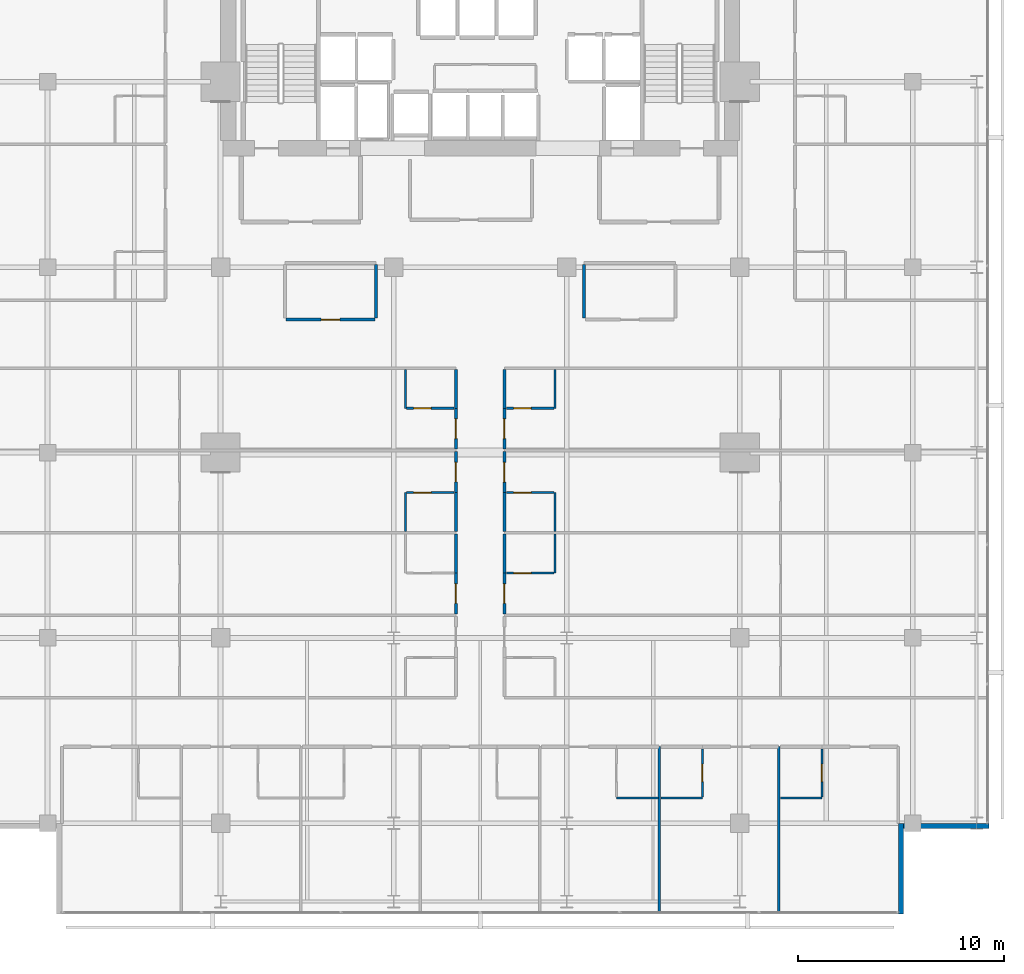
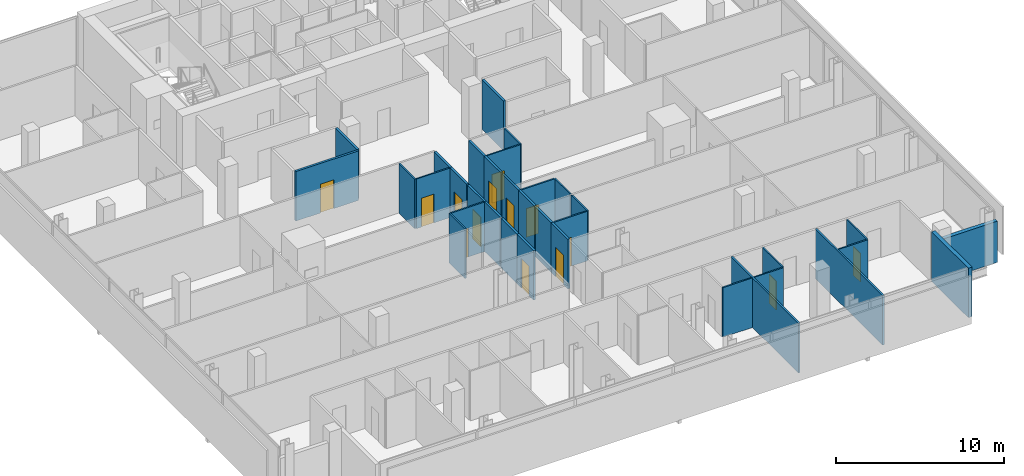
# One storey, part 28 of 34: 34 walls, 14 doors, 14 openings.
"""IFC4 building model written with IfcOpenShell, lengths in metres."""

from ifc_helpers import new_model, si_unit, direction, frame, frame_2d, origin, place, context, subcontext, project, spatial, rectangle, extrude, material, layer, layer_set, type_object, element, fill, save


model = new_model("IFC4")

# Units and contexts
model_context = context("Model", 3, precision=1e-05, world=origin(), true_north=direction((0.0, 1.0)))
body_context = subcontext(model_context, "Body", "Model", "MODEL_VIEW")
ifc_project = project(units=[si_unit("LENGTHUNIT", "METRE"), si_unit("AREAUNIT", "SQUARE_METRE"), si_unit("VOLUMEUNIT", "CUBIC_METRE"), si_unit("PLANEANGLEUNIT", "RADIAN"), si_unit("MASSUNIT", "GRAM", prefix="KILO")], contexts=[model_context])

# Site, building, storey
site_placement = place(None, origin())
site = spatial("IfcSite", under=ifc_project, at=site_placement, CompositionType="ELEMENT")
building_placement = place(site_placement, origin())
building = spatial("IfcBuilding", under=site, at=building_placement, Name="Maruvema Waterfront Hotel and Observation Tower", CompositionType="ELEMENT")
storey_placement = place(building_placement, frame((0.0, 0.0, 127.39990234375)))
storey = spatial("IfcBuildingStorey", under=building, at=storey_placement, Name="L30", CompositionType="ELEMENT", Elevation=127.39990234375)

# Wall
ifc_material_1 = material(Name="Twin-stud acoustic gypsum drywall", Category="gypsum")
ifc_layer_1 = layer(ifc_material_1, 0.14990234375, Name="Acoustic Corridor and Suite Demising Wall 150 mm")
ifc_layer_set_1 = layer_set([ifc_layer_1], Name="Twin-stud acoustic gypsum drywall")
wall_type_1 = type_object("IfcWallType", Name="Acoustic Corridor and Suite Demising Wall 150 mm", PredefinedType="PARTITIONING", material=ifc_layer_set_1)
wall_1_placement = place(storey_placement, frame((32.75, 33.530029296875, 0.0), z_axis=(0.0, 0.0, 1.0), x_axis=(0.0, 1.0, 0.0)))
element("IfcWall", 1, at=wall_1_placement, inside=storey, type_object=wall_type_1, Name="L30 L30-M1 East Wall 018", PredefinedType="PARTITIONING", context=body_context, shape_type="SweptSolid", body=[
    extrude(rectangle(XDim=2.590087890625, YDim=0.14990234375, at=frame_2d((1.294921875, 0.0))), origin(), (0.0, 0.0, 1.0), 3.610107421875),
])

# Wall, opening, door
wall_2_placement = place(storey_placement, frame((28.3798828125, 33.449951171875, 0.0), z_axis=(0.0, 0.0, 1.0), x_axis=(1.0, 0.0, 0.0)))
wall_2 = element("IfcWall", 2, at=wall_2_placement, inside=storey, type_object=wall_type_1, Name="L30 L30-M1 Front 1 019", PredefinedType="PARTITIONING", context=body_context, shape_type="SweptSolid", body=[
    extrude(rectangle(XDim=4.31005859375, YDim=0.14990234375, at=frame_2d((2.155029296875, 0.0))), origin(), (0.0, 0.0, 1.0), 3.610107421875),
])
opening_1_placement = place(wall_2_placement, frame((1.705078125, 0.0, 0.0)))
opening_1 = element("IfcOpeningElement", 3, at=opening_1_placement, cuts=wall_2, Name="Opening DR-090", PredefinedType="OPENING", context=body_context, shape_type="SweptSolid", body=[
    extrude(rectangle(XDim=0.89990234375, YDim=2.10009765625, at=frame_2d((0.449951171875, 1.050048828125))), frame((0.0, 0.0849609375, 0.0), z_axis=(0.0, -1.0, 0.0), x_axis=(1.0, 0.0, 0.0)), (0.0, 0.0, 1.0), 0.169921875),
])
ifc_material_2 = material(Name="Solid-core lacquered timber leaf", Category="wood")
door_type_1 = type_object("IfcDoorType", Name="Accessible Toilet and Room Door 900x2100 mm", OperationType="NOTDEFINED", PredefinedType="DOOR", material=ifc_material_2)
door_1_placement = place(opening_1_placement, frame((0.89990234375, 0.0, 0.0), z_axis=(0.0, 0.0, 1.0), x_axis=(-1.0, 0.0, 0.0)))
door_1 = element("IfcDoor", 4, at=door_1_placement, inside=storey, type_object=door_type_1, Name="L30 Butler Kitchenette Door", OperationType="SINGLE_SWING_LEFT", OverallHeight=2.10009765625, OverallWidth=0.89990234375, PredefinedType="DOOR", context=body_context, shape_type="SweptSolid", body=[
    extrude(rectangle(XDim=0.89990234375, YDim=2.10009765625, at=frame_2d((0.449951171875, 1.050048828125))), frame((0.0, 0.02490234375, 0.0), z_axis=(0.0, -1.0, 0.0), x_axis=(1.0, 0.0, 0.0)), (0.0, 0.0, 1.0), 0.050048828125),
])
fill(opening_1, door_1)

# Wall
wall_3_placement = place(storey_placement, frame((42.85009765625, 33.530029296875, 0.0), z_axis=(0.0, 0.0, 1.0), x_axis=(0.0, 1.0, 0.0)))
element("IfcWall", 5, at=wall_3_placement, inside=storey, type_object=wall_type_1, Name="L30 L30-M2 West Wall 021", PredefinedType="PARTITIONING", context=body_context, shape_type="SweptSolid", body=[
    extrude(rectangle(XDim=2.590087890625, YDim=0.14990234375, at=frame_2d((1.294921875, 0.0))), origin(), (0.0, 0.0, 1.0), 3.610107421875),
])

# Wall, opening, door
wall_4_placement = place(storey_placement, frame((36.6201171875, 19.159912109375, 0.0), z_axis=(0.0, 0.0, 1.0), x_axis=(0.0, 1.0, 0.0)))
wall_4 = element("IfcWall", 6, at=wall_4_placement, inside=storey, type_object=wall_type_1, Name="L30 Room L30-W2 Corridor Wall 076", PredefinedType="PARTITIONING", context=body_context, shape_type="SweptSolid", body=[
    extrude(rectangle(XDim=1.989990234375, YDim=0.14990234375, at=frame_2d((0.9951171875, 0.0))), origin(), (0.0, 0.0, 1.0), 3.610107421875),
])
opening_2_placement = place(wall_4_placement, frame((0.52001953125, 0.0, 0.0)))
opening_2 = element("IfcOpeningElement", 7, at=opening_2_placement, cuts=wall_4, Name="Opening DR-095", PredefinedType="OPENING", context=body_context, shape_type="SweptSolid", body=[
    extrude(rectangle(XDim=0.949951171875, YDim=2.14990234375, at=frame_2d((0.47509765625, 1.074951171875))), frame((0.0, 0.0849609375, 0.0), z_axis=(0.0, -1.0, 0.0), x_axis=(1.0, 0.0, 0.0)), (0.0, 0.0, 1.0), 0.169921875),
])
ifc_material_3 = material(Name="Acoustic solid-core hardwood timber leaf", Category="wood")
door_type_2 = type_object("IfcDoorType", Name="Guestroom Entrance Fire Door 950x2150 mm", OperationType="NOTDEFINED", PredefinedType="DOOR", material=ifc_material_3)
door_2_placement = place(opening_2_placement, origin())
door_2 = element("IfcDoor", 8, at=door_2_placement, inside=storey, type_object=door_type_2, Name="L30 Room L30-W2 Entrance Door", OperationType="SINGLE_SWING_RIGHT", OverallHeight=2.14990234375, OverallWidth=0.949951171875, PredefinedType="DOOR", context=body_context, shape_type="SweptSolid", body=[
    extrude(rectangle(XDim=0.949951171875, YDim=2.14990234375, at=frame_2d((0.47509765625, 1.074951171875))), frame((0.0, 0.02490234375, 0.0), z_axis=(0.0, -1.0, 0.0), x_axis=(1.0, 0.0, 0.0)), (0.0, 0.0, 1.0), 0.050048828125),
])
fill(opening_2, door_2)

# Wall
wall_5_placement = place(storey_placement, frame((36.6201171875, 21.14990234375, 0.0), z_axis=(0.0, 0.0, 1.0), x_axis=(0.0, 1.0, 0.0)))
element("IfcWall", 9, at=wall_5_placement, inside=storey, type_object=wall_type_1, Name="L30 Bath L30-W2 Wall 077", PredefinedType="PARTITIONING", context=body_context, shape_type="SweptSolid", body=[
    extrude(rectangle(XDim=1.89013671875, YDim=0.14990234375, at=frame_2d((0.945068359375, 0.0))), origin(), (0.0, 0.0, 1.0), 3.610107421875),
])

# Wall, opening, door
wall_6_placement = place(storey_placement, frame((38.97998046875, 19.159912109375, 0.0), z_axis=(0.0, 0.0, 1.0), x_axis=(0.0, 1.0, 0.0)))
wall_6 = element("IfcWall", 10, at=wall_6_placement, inside=storey, type_object=wall_type_1, Name="L30 Room L30-E2 Corridor Wall 081", PredefinedType="PARTITIONING", context=body_context, shape_type="SweptSolid", body=[
    extrude(rectangle(XDim=1.989990234375, YDim=0.14990234375, at=frame_2d((0.9951171875, 0.0))), origin(), (0.0, 0.0, 1.0), 3.610107421875),
])
opening_3_placement = place(wall_6_placement, frame((0.52001953125, 0.0, 0.0)))
opening_3 = element("IfcOpeningElement", 11, at=opening_3_placement, cuts=wall_6, Name="Opening DR-095", PredefinedType="OPENING", context=body_context, shape_type="SweptSolid", body=[
    extrude(rectangle(XDim=0.949951171875, YDim=2.14990234375, at=frame_2d((0.47509765625, 1.074951171875))), frame((0.0, 0.0849609375, 0.0), z_axis=(0.0, -1.0, 0.0), x_axis=(1.0, 0.0, 0.0)), (0.0, 0.0, 1.0), 0.169921875),
])
door_3_placement = place(opening_3_placement, frame((0.949951171875, 0.0, 0.0), z_axis=(0.0, 0.0, 1.0), x_axis=(-1.0, 0.0, 0.0)))
door_3 = element("IfcDoor", 12, at=door_3_placement, inside=storey, type_object=door_type_2, Name="L30 Room L30-E2 Entrance Door", OperationType="SINGLE_SWING_LEFT", OverallHeight=2.14990234375, OverallWidth=0.949951171875, PredefinedType="DOOR", context=body_context, shape_type="SweptSolid", body=[
    extrude(rectangle(XDim=0.949951171875, YDim=2.14990234375, at=frame_2d((0.47509765625, 1.074951171875))), frame((0.0, 0.02490234375, 0.0), z_axis=(0.0, -1.0, 0.0), x_axis=(1.0, 0.0, 0.0)), (0.0, 0.0, 1.0), 0.050048828125),
])
fill(opening_3, door_3)

# Walls
for number, where, z_axis, x_axis, name in (
    (13, (38.97998046875, 21.14990234375, 0.0), (0.0, 0.0, 1.0), (0.0, 1.0, 0.0), "L30 Bath L30-E2 Wall 082"),
    (14, (36.6201171875, 23.159912109375, 0.0), (0.0, 0.0, 1.0), (0.0, 1.0, 0.0), "L30 Bath L30-W3 Wall 088"),
):
    element("IfcWall", number, at=place(storey_placement, frame(where, z_axis=z_axis, x_axis=x_axis)), inside=storey, type_object=wall_type_1, Name=name, PredefinedType="PARTITIONING", context=body_context, shape_type="SweptSolid", body=[
        extrude(rectangle(XDim=1.89013671875, YDim=0.14990234375, at=frame_2d((0.945068359375, 0.0))), origin(), (0.0, 0.0, 1.0), 3.610107421875),
    ])

# Wall, opening, door
wall_7_placement = place(storey_placement, frame((36.6201171875, 25.050048828125, 0.0), z_axis=(0.0, 0.0, 1.0), x_axis=(0.0, 1.0, 0.0)))
wall_7 = element("IfcWall", 15, at=wall_7_placement, inside=storey, type_object=wall_type_1, Name="L30 Room L30-W3 Corridor Wall 089", PredefinedType="PARTITIONING", context=body_context, shape_type="SweptSolid", body=[
    extrude(rectangle(XDim=1.989990234375, YDim=0.14990234375, at=frame_2d((0.9951171875, 0.0))), origin(), (0.0, 0.0, 1.0), 3.610107421875),
])
opening_4_placement = place(wall_7_placement, frame((0.52001953125, 0.0, 0.0)))
opening_4 = element("IfcOpeningElement", 16, at=opening_4_placement, cuts=wall_7, Name="Opening DR-095", PredefinedType="OPENING", context=body_context, shape_type="SweptSolid", body=[
    extrude(rectangle(XDim=0.949951171875, YDim=2.14990234375, at=frame_2d((0.47509765625, 1.074951171875))), frame((0.0, 0.0849609375, 0.0), z_axis=(0.0, -1.0, 0.0), x_axis=(1.0, 0.0, 0.0)), (0.0, 0.0, 1.0), 0.169921875),
])
door_4_placement = place(opening_4_placement, origin())
door_4 = element("IfcDoor", 17, at=door_4_placement, inside=storey, type_object=door_type_2, Name="L30 Room L30-W3 Entrance Door", OperationType="SINGLE_SWING_RIGHT", OverallHeight=2.14990234375, OverallWidth=0.949951171875, PredefinedType="DOOR", context=body_context, shape_type="SweptSolid", body=[
    extrude(rectangle(XDim=0.949951171875, YDim=2.14990234375, at=frame_2d((0.47509765625, 1.074951171875))), frame((0.0, 0.02490234375, 0.0), z_axis=(0.0, -1.0, 0.0), x_axis=(1.0, 0.0, 0.0)), (0.0, 0.0, 1.0), 0.050048828125),
])
fill(opening_4, door_4)

# Wall
wall_8_placement = place(storey_placement, frame((38.97998046875, 23.159912109375, 0.0), z_axis=(0.0, 0.0, 1.0), x_axis=(0.0, 1.0, 0.0)))
element("IfcWall", 18, at=wall_8_placement, inside=storey, type_object=wall_type_1, Name="L30 Bath L30-E3 Wall 093", PredefinedType="PARTITIONING", context=body_context, shape_type="SweptSolid", body=[
    extrude(rectangle(XDim=1.89013671875, YDim=0.14990234375, at=frame_2d((0.945068359375, 0.0))), origin(), (0.0, 0.0, 1.0), 3.610107421875),
])

# Wall, opening, door
wall_9_placement = place(storey_placement, frame((38.97998046875, 25.050048828125, 0.0), z_axis=(0.0, 0.0, 1.0), x_axis=(0.0, 1.0, 0.0)))
wall_9 = element("IfcWall", 19, at=wall_9_placement, inside=storey, type_object=wall_type_1, Name="L30 Room L30-E3 Corridor Wall 094", PredefinedType="PARTITIONING", context=body_context, shape_type="SweptSolid", body=[
    extrude(rectangle(XDim=1.989990234375, YDim=0.14990234375, at=frame_2d((0.9951171875, 0.0))), origin(), (0.0, 0.0, 1.0), 3.610107421875),
])
opening_5_placement = place(wall_9_placement, frame((0.52001953125, 0.0, 0.0)))
opening_5 = element("IfcOpeningElement", 20, at=opening_5_placement, cuts=wall_9, Name="Opening DR-095", PredefinedType="OPENING", context=body_context, shape_type="SweptSolid", body=[
    extrude(rectangle(XDim=0.949951171875, YDim=2.14990234375, at=frame_2d((0.47509765625, 1.074951171875))), frame((0.0, 0.0849609375, 0.0), z_axis=(0.0, -1.0, 0.0), x_axis=(1.0, 0.0, 0.0)), (0.0, 0.0, 1.0), 0.169921875),
])
door_5_placement = place(opening_5_placement, frame((0.949951171875, 0.0, 0.0), z_axis=(0.0, 0.0, 1.0), x_axis=(-1.0, 0.0, 0.0)))
door_5 = element("IfcDoor", 21, at=door_5_placement, inside=storey, type_object=door_type_2, Name="L30 Room L30-E3 Entrance Door", OperationType="SINGLE_SWING_LEFT", OverallHeight=2.14990234375, OverallWidth=0.949951171875, PredefinedType="DOOR", context=body_context, shape_type="SweptSolid", body=[
    extrude(rectangle(XDim=0.949951171875, YDim=2.14990234375, at=frame_2d((0.47509765625, 1.074951171875))), frame((0.0, 0.02490234375, 0.0), z_axis=(0.0, -1.0, 0.0), x_axis=(1.0, 0.0, 0.0)), (0.0, 0.0, 1.0), 0.050048828125),
])
fill(opening_5, door_5)

wall_10_placement = place(storey_placement, frame((36.6201171875, 27.159912109375, 0.0), z_axis=(0.0, 0.0, 1.0), x_axis=(0.0, 1.0, 0.0)))
wall_10 = element("IfcWall", 22, at=wall_10_placement, inside=storey, type_object=wall_type_1, Name="L30 Room L30-W4 Corridor Wall 100", PredefinedType="PARTITIONING", context=body_context, shape_type="SweptSolid", body=[
    extrude(rectangle(XDim=1.989990234375, YDim=0.14990234375, at=frame_2d((0.9951171875, 0.0))), origin(), (0.0, 0.0, 1.0), 3.610107421875),
])
opening_6_placement = place(wall_10_placement, frame((0.52001953125, 0.0, 0.0)))
opening_6 = element("IfcOpeningElement", 23, at=opening_6_placement, cuts=wall_10, Name="Opening DR-095", PredefinedType="OPENING", context=body_context, shape_type="SweptSolid", body=[
    extrude(rectangle(XDim=0.949951171875, YDim=2.14990234375, at=frame_2d((0.47509765625, 1.074951171875))), frame((0.0, 0.0849609375, 0.0), z_axis=(0.0, -1.0, 0.0), x_axis=(1.0, 0.0, 0.0)), (0.0, 0.0, 1.0), 0.169921875),
])
door_6_placement = place(opening_6_placement, origin())
door_6 = element("IfcDoor", 24, at=door_6_placement, inside=storey, type_object=door_type_2, Name="L30 Room L30-W4 Entrance Door", OperationType="SINGLE_SWING_RIGHT", OverallHeight=2.14990234375, OverallWidth=0.949951171875, PredefinedType="DOOR", context=body_context, shape_type="SweptSolid", body=[
    extrude(rectangle(XDim=0.949951171875, YDim=2.14990234375, at=frame_2d((0.47509765625, 1.074951171875))), frame((0.0, 0.02490234375, 0.0), z_axis=(0.0, -1.0, 0.0), x_axis=(1.0, 0.0, 0.0)), (0.0, 0.0, 1.0), 0.050048828125),
])
fill(opening_6, door_6)

# Wall
wall_11_placement = place(storey_placement, frame((36.6201171875, 29.14990234375, 0.0), z_axis=(0.0, 0.0, 1.0), x_axis=(0.0, 1.0, 0.0)))
element("IfcWall", 25, at=wall_11_placement, inside=storey, type_object=wall_type_1, Name="L30 Bath L30-W4 Wall 101", PredefinedType="PARTITIONING", context=body_context, shape_type="SweptSolid", body=[
    extrude(rectangle(XDim=1.89013671875, YDim=0.14990234375, at=frame_2d((0.945068359375, 0.0))), origin(), (0.0, 0.0, 1.0), 3.610107421875),
])

# Wall, opening, door
wall_12_placement = place(storey_placement, frame((38.97998046875, 27.159912109375, 0.0), z_axis=(0.0, 0.0, 1.0), x_axis=(0.0, 1.0, 0.0)))
wall_12 = element("IfcWall", 26, at=wall_12_placement, inside=storey, type_object=wall_type_1, Name="L30 Room L30-E4 Corridor Wall 105", PredefinedType="PARTITIONING", context=body_context, shape_type="SweptSolid", body=[
    extrude(rectangle(XDim=1.989990234375, YDim=0.14990234375, at=frame_2d((0.9951171875, 0.0))), origin(), (0.0, 0.0, 1.0), 3.610107421875),
])
opening_7_placement = place(wall_12_placement, frame((0.52001953125, 0.0, 0.0)))
opening_7 = element("IfcOpeningElement", 27, at=opening_7_placement, cuts=wall_12, Name="Opening DR-095", PredefinedType="OPENING", context=body_context, shape_type="SweptSolid", body=[
    extrude(rectangle(XDim=0.949951171875, YDim=2.14990234375, at=frame_2d((0.47509765625, 1.074951171875))), frame((0.0, 0.0849609375, 0.0), z_axis=(0.0, -1.0, 0.0), x_axis=(1.0, 0.0, 0.0)), (0.0, 0.0, 1.0), 0.169921875),
])
door_7_placement = place(opening_7_placement, frame((0.949951171875, 0.0, 0.0), z_axis=(0.0, 0.0, 1.0), x_axis=(-1.0, 0.0, 0.0)))
door_7 = element("IfcDoor", 28, at=door_7_placement, inside=storey, type_object=door_type_2, Name="L30 Room L30-E4 Entrance Door", OperationType="SINGLE_SWING_LEFT", OverallHeight=2.14990234375, OverallWidth=0.949951171875, PredefinedType="DOOR", context=body_context, shape_type="SweptSolid", body=[
    extrude(rectangle(XDim=0.949951171875, YDim=2.14990234375, at=frame_2d((0.47509765625, 1.074951171875))), frame((0.0, 0.02490234375, 0.0), z_axis=(0.0, -1.0, 0.0), x_axis=(1.0, 0.0, 0.0)), (0.0, 0.0, 1.0), 0.050048828125),
])
fill(opening_7, door_7)

# Walls
wall_13_placement = place(storey_placement, frame((38.97998046875, 29.14990234375, 0.0), z_axis=(0.0, 0.0, 1.0), x_axis=(0.0, 1.0, 0.0)))
element("IfcWall", 29, at=wall_13_placement, inside=storey, type_object=wall_type_1, Name="L30 Bath L30-E4 Wall 106", PredefinedType="PARTITIONING", context=body_context, shape_type="SweptSolid", body=[
    extrude(rectangle(XDim=1.89013671875, YDim=0.14990234375, at=frame_2d((0.945068359375, 0.0))), origin(), (0.0, 0.0, 1.0), 3.610107421875),
])
ifc_material_4 = material(Name="Moisture-resistant cement-board drywall", Category="gypsum")
ifc_layer_2 = layer(ifc_material_4, 0.10009765625, Name="En-Suite Moisture-Resistant Partition 100 mm")
ifc_layer_set_2 = layer_set([ifc_layer_2], Name="Moisture-resistant cement-board drywall")
wall_type_2 = type_object("IfcWallType", Name="En-Suite Moisture-Resistant Partition 100 mm", PredefinedType="PARTITIONING", material=ifc_layer_set_2)
wall_14_placement = place(storey_placement, frame((44.409912109375, 10.219970703125, 0.0), z_axis=(0.0, 0.0, 1.0), x_axis=(1.0, 0.0, 0.0)))
element("IfcWall", 30, at=wall_14_placement, inside=storey, type_object=wall_type_2, Name="L30 En-Suite L30-S5 South 047", PredefinedType="PARTITIONING", context=body_context, shape_type="SweptSolid", body=[
    extrude(rectangle(XDim=2.050048828125, YDim=0.10009765625, at=frame_2d((1.02490234375, 0.0))), origin(), (0.0, 0.0, 1.0), 3.610107421875),
])
wall_15_placement = place(storey_placement, frame((46.580078125, 10.219970703125, 0.0), z_axis=(0.0, 0.0, 1.0), x_axis=(1.0, 0.0, 0.0)))
element("IfcWall", 31, at=wall_15_placement, inside=storey, type_object=wall_type_2, Name="L30 En-Suite L30-S6 South 052", PredefinedType="PARTITIONING", context=body_context, shape_type="SweptSolid", body=[
    extrude(rectangle(XDim=2.010009765625, YDim=0.10009765625, at=frame_2d((1.0048828125, 0.0))), origin(), (0.0, 0.0, 1.0), 3.610107421875),
])

# Wall, opening, door
wall_16_placement = place(storey_placement, frame((48.590087890625, 10.280029296875, 0.0), z_axis=(0.0, 0.0, 1.0), x_axis=(0.0, 1.0, 0.0)))
wall_16 = element("IfcWall", 32, at=wall_16_placement, inside=storey, type_object=wall_type_2, Name="L30 En-Suite L30-S6 East 053", PredefinedType="PARTITIONING", context=body_context, shape_type="SweptSolid", body=[
    extrude(rectangle(XDim=2.340087890625, YDim=0.10009765625, at=frame_2d((1.169921875, 0.0))), origin(), (0.0, 0.0, 1.0), 3.610107421875),
])
opening_8_placement = place(wall_16_placement, frame((0.7451171875, 0.0, 0.0)))
opening_8 = element("IfcOpeningElement", 33, at=opening_8_placement, cuts=wall_16, Name="Opening DR-085", PredefinedType="OPENING", context=body_context, shape_type="SweptSolid", body=[
    extrude(rectangle(XDim=0.85009765625, YDim=2.10009765625, at=frame_2d((0.425048828125, 1.050048828125))), frame((0.0, 0.06005859375, 0.0), z_axis=(0.0, -1.0, 0.0), x_axis=(1.0, 0.0, 0.0)), (0.0, 0.0, 1.0), 0.1201171875),
])
ifc_material_5 = material(Name="Moisture-resistant solid timber leaf", Category="wood")
door_type_3 = type_object("IfcDoorType", Name="En-Suite Bathroom Door 850x2100 mm", OperationType="NOTDEFINED", PredefinedType="DOOR", material=ifc_material_5)
door_8_placement = place(opening_8_placement, frame((0.85009765625, 0.0, 0.0), z_axis=(0.0, 0.0, 1.0), x_axis=(-1.0, 0.0, 0.0)))
door_8 = element("IfcDoor", 34, at=door_8_placement, inside=storey, type_object=door_type_3, Name="L30 En-Suite L30-S6 Door", OperationType="SINGLE_SWING_LEFT", OverallHeight=2.10009765625, OverallWidth=0.85009765625, PredefinedType="DOOR", context=body_context, shape_type="SweptSolid", body=[
    extrude(rectangle(XDim=0.85009765625, YDim=2.10009765625, at=frame_2d((0.425048828125, 1.050048828125))), frame((0.0, 0.02490234375, 0.0), z_axis=(0.0, -1.0, 0.0), x_axis=(1.0, 0.0, 0.0)), (0.0, 0.0, 1.0), 0.050048828125),
])
fill(opening_8, door_8)

# Wall
wall_17_placement = place(storey_placement, frame((52.3798828125, 10.219970703125, 0.0), z_axis=(0.0, 0.0, 1.0), x_axis=(1.0, 0.0, 0.0)))
element("IfcWall", 35, at=wall_17_placement, inside=storey, type_object=wall_type_2, Name="L30 En-Suite L30-S7 South 057", PredefinedType="PARTITIONING", context=body_context, shape_type="SweptSolid", body=[
    extrude(rectangle(XDim=2.010009765625, YDim=0.10009765625, at=frame_2d((1.0048828125, 0.0))), origin(), (0.0, 0.0, 1.0), 3.610107421875),
])

# Wall, opening, door
wall_18_placement = place(storey_placement, frame((54.389892578125, 10.280029296875, 0.0), z_axis=(0.0, 0.0, 1.0), x_axis=(0.0, 1.0, 0.0)))
wall_18 = element("IfcWall", 36, at=wall_18_placement, inside=storey, type_object=wall_type_2, Name="L30 En-Suite L30-S7 East 058", PredefinedType="PARTITIONING", context=body_context, shape_type="SweptSolid", body=[
    extrude(rectangle(XDim=2.340087890625, YDim=0.10009765625, at=frame_2d((1.169921875, 0.0))), origin(), (0.0, 0.0, 1.0), 3.610107421875),
])
opening_9_placement = place(wall_18_placement, frame((0.7451171875, 0.0, 0.0)))
opening_9 = element("IfcOpeningElement", 37, at=opening_9_placement, cuts=wall_18, Name="Opening DR-085", PredefinedType="OPENING", context=body_context, shape_type="SweptSolid", body=[
    extrude(rectangle(XDim=0.85009765625, YDim=2.10009765625, at=frame_2d((0.425048828125, 1.050048828125))), frame((0.0, 0.06005859375, 0.0), z_axis=(0.0, -1.0, 0.0), x_axis=(1.0, 0.0, 0.0)), (0.0, 0.0, 1.0), 0.1201171875),
])
door_9_placement = place(opening_9_placement, frame((0.85009765625, 0.0, 0.0), z_axis=(0.0, 0.0, 1.0), x_axis=(-1.0, 0.0, 0.0)))
door_9 = element("IfcDoor", 38, at=door_9_placement, inside=storey, type_object=door_type_3, Name="L30 En-Suite L30-S7 Door", OperationType="SINGLE_SWING_LEFT", OverallHeight=2.10009765625, OverallWidth=0.85009765625, PredefinedType="DOOR", context=body_context, shape_type="SweptSolid", body=[
    extrude(rectangle(XDim=0.85009765625, YDim=2.10009765625, at=frame_2d((0.425048828125, 1.050048828125))), frame((0.0, 0.02490234375, 0.0), z_axis=(0.0, -1.0, 0.0), x_axis=(1.0, 0.0, 0.0)), (0.0, 0.0, 1.0), 0.050048828125),
])
fill(opening_9, door_9)

# Wall
wall_19_placement = place(storey_placement, frame((41.429931640625, 21.14990234375, 0.0), z_axis=(0.0, 0.0, 1.0), x_axis=(0.0, 1.0, 0.0)))
element("IfcWall", 39, at=wall_19_placement, inside=storey, type_object=wall_type_2, Name="L30 En-Suite L30-E2 E 083", PredefinedType="PARTITIONING", context=body_context, shape_type="SweptSolid", body=[
    extrude(rectangle(XDim=1.89013671875, YDim=0.10009765625, at=frame_2d((0.945068359375, 0.0))), origin(), (0.0, 0.0, 1.0), 3.610107421875),
])

# Wall, opening, door
wall_20_placement = place(storey_placement, frame((39.080078125, 21.14990234375, 0.0), z_axis=(0.0, 0.0, 1.0), x_axis=(1.0, 0.0, 0.0)))
wall_20 = element("IfcWall", 40, at=wall_20_placement, inside=storey, type_object=wall_type_2, Name="L30 En-Suite L30-E2 S 084", PredefinedType="PARTITIONING", context=body_context, shape_type="SweptSolid", body=[
    extrude(rectangle(XDim=2.2998046875, YDim=0.10009765625, at=frame_2d((1.14990234375, 0.0))), origin(), (0.0, 0.0, 1.0), 3.610107421875),
])
opening_10_placement = place(wall_20_placement, frame((0.35009765625, 0.0, 0.0)))
opening_10 = element("IfcOpeningElement", 41, at=opening_10_placement, cuts=wall_20, Name="Opening DR-085", PredefinedType="OPENING", context=body_context, shape_type="SweptSolid", body=[
    extrude(rectangle(XDim=0.85009765625, YDim=2.10009765625, at=frame_2d((0.425048828125, 1.050048828125))), frame((0.0, 0.06005859375, 0.0), z_axis=(0.0, -1.0, 0.0), x_axis=(1.0, 0.0, 0.0)), (0.0, 0.0, 1.0), 0.1201171875),
])
door_10_placement = place(opening_10_placement, frame((0.85009765625, 0.0, 0.0), z_axis=(0.0, 0.0, 1.0), x_axis=(-1.0, 0.0, 0.0)))
door_10 = element("IfcDoor", 42, at=door_10_placement, inside=storey, type_object=door_type_3, Name="L30 En-Suite L30-E2 Door", OperationType="SINGLE_SWING_RIGHT", OverallHeight=2.10009765625, OverallWidth=0.85009765625, PredefinedType="DOOR", context=body_context, shape_type="SweptSolid", body=[
    extrude(rectangle(XDim=0.85009765625, YDim=2.10009765625, at=frame_2d((0.425048828125, 1.050048828125))), frame((0.0, 0.02490234375, 0.0), z_axis=(0.0, -1.0, 0.0), x_axis=(1.0, 0.0, 0.0)), (0.0, 0.0, 1.0), 0.050048828125),
])
fill(opening_10, door_10)

# Wall
wall_21_placement = place(storey_placement, frame((34.169921875, 23.159912109375, 0.0), z_axis=(0.0, 0.0, 1.0), x_axis=(0.0, 1.0, 0.0)))
element("IfcWall", 43, at=wall_21_placement, inside=storey, type_object=wall_type_2, Name="L30 En-Suite L30-W3 W 090", PredefinedType="PARTITIONING", context=body_context, shape_type="SweptSolid", body=[
    extrude(rectangle(XDim=1.89013671875, YDim=0.10009765625, at=frame_2d((0.945068359375, 0.0))), origin(), (0.0, 0.0, 1.0), 3.610107421875),
])

# Wall, opening, door
wall_22_placement = place(storey_placement, frame((34.219970703125, 25.050048828125, 0.0), z_axis=(0.0, 0.0, 1.0), x_axis=(1.0, 0.0, 0.0)))
wall_22 = element("IfcWall", 44, at=wall_22_placement, inside=storey, type_object=wall_type_2, Name="L30 En-Suite L30-W3 N 091", PredefinedType="PARTITIONING", context=body_context, shape_type="SweptSolid", body=[
    extrude(rectangle(XDim=2.300048828125, YDim=0.10009765625, at=frame_2d((1.14990234375, 0.0))), origin(), (0.0, 0.0, 1.0), 3.610107421875),
])
opening_11_placement = place(wall_22_placement, frame((0.35009765625, 0.0, 0.0)))
opening_11 = element("IfcOpeningElement", 45, at=opening_11_placement, cuts=wall_22, Name="Opening DR-085", PredefinedType="OPENING", context=body_context, shape_type="SweptSolid", body=[
    extrude(rectangle(XDim=0.85009765625, YDim=2.10009765625, at=frame_2d((0.425048828125, 1.050048828125))), frame((0.0, 0.06005859375, 0.0), z_axis=(0.0, -1.0, 0.0), x_axis=(1.0, 0.0, 0.0)), (0.0, 0.0, 1.0), 0.1201171875),
])
door_11_placement = place(opening_11_placement, origin())
door_11 = element("IfcDoor", 46, at=door_11_placement, inside=storey, type_object=door_type_3, Name="L30 En-Suite L30-W3 Door", OperationType="SINGLE_SWING_LEFT", OverallHeight=2.10009765625, OverallWidth=0.85009765625, PredefinedType="DOOR", context=body_context, shape_type="SweptSolid", body=[
    extrude(rectangle(XDim=0.85009765625, YDim=2.10009765625, at=frame_2d((0.425048828125, 1.050048828125))), frame((0.0, 0.02490234375, 0.0), z_axis=(0.0, -1.0, 0.0), x_axis=(1.0, 0.0, 0.0)), (0.0, 0.0, 1.0), 0.050048828125),
])
fill(opening_11, door_11)

# Wall
wall_23_placement = place(storey_placement, frame((41.429931640625, 23.159912109375, 0.0), z_axis=(0.0, 0.0, 1.0), x_axis=(0.0, 1.0, 0.0)))
element("IfcWall", 47, at=wall_23_placement, inside=storey, type_object=wall_type_2, Name="L30 En-Suite L30-E3 E 095", PredefinedType="PARTITIONING", context=body_context, shape_type="SweptSolid", body=[
    extrude(rectangle(XDim=1.89013671875, YDim=0.10009765625, at=frame_2d((0.945068359375, 0.0))), origin(), (0.0, 0.0, 1.0), 3.610107421875),
])

# Wall, opening, door
wall_24_placement = place(storey_placement, frame((39.080078125, 25.050048828125, 0.0), z_axis=(0.0, 0.0, 1.0), x_axis=(1.0, 0.0, 0.0)))
wall_24 = element("IfcWall", 48, at=wall_24_placement, inside=storey, type_object=wall_type_2, Name="L30 En-Suite L30-E3 N 096", PredefinedType="PARTITIONING", context=body_context, shape_type="SweptSolid", body=[
    extrude(rectangle(XDim=2.2998046875, YDim=0.10009765625, at=frame_2d((1.14990234375, 0.0))), origin(), (0.0, 0.0, 1.0), 3.610107421875),
])
opening_12_placement = place(wall_24_placement, frame((0.35009765625, 0.0, 0.0)))
opening_12 = element("IfcOpeningElement", 49, at=opening_12_placement, cuts=wall_24, Name="Opening DR-085", PredefinedType="OPENING", context=body_context, shape_type="SweptSolid", body=[
    extrude(rectangle(XDim=0.85009765625, YDim=2.10009765625, at=frame_2d((0.425048828125, 1.050048828125))), frame((0.0, 0.06005859375, 0.0), z_axis=(0.0, -1.0, 0.0), x_axis=(1.0, 0.0, 0.0)), (0.0, 0.0, 1.0), 0.1201171875),
])
door_12_placement = place(opening_12_placement, origin())
door_12 = element("IfcDoor", 50, at=door_12_placement, inside=storey, type_object=door_type_3, Name="L30 En-Suite L30-E3 Door", OperationType="SINGLE_SWING_RIGHT", OverallHeight=2.10009765625, OverallWidth=0.85009765625, PredefinedType="DOOR", context=body_context, shape_type="SweptSolid", body=[
    extrude(rectangle(XDim=0.85009765625, YDim=2.10009765625, at=frame_2d((0.425048828125, 1.050048828125))), frame((0.0, 0.02490234375, 0.0), z_axis=(0.0, -1.0, 0.0), x_axis=(1.0, 0.0, 0.0)), (0.0, 0.0, 1.0), 0.050048828125),
])
fill(opening_12, door_12)

# Wall
wall_25_placement = place(storey_placement, frame((34.169921875, 29.14990234375, 0.0), z_axis=(0.0, 0.0, 1.0), x_axis=(0.0, 1.0, 0.0)))
element("IfcWall", 51, at=wall_25_placement, inside=storey, type_object=wall_type_2, Name="L30 En-Suite L30-W4 W 102", PredefinedType="PARTITIONING", context=body_context, shape_type="SweptSolid", body=[
    extrude(rectangle(XDim=1.89013671875, YDim=0.10009765625, at=frame_2d((0.945068359375, 0.0))), origin(), (0.0, 0.0, 1.0), 3.610107421875),
])

# Wall, opening, door
wall_26_placement = place(storey_placement, frame((34.219970703125, 29.14990234375, 0.0), z_axis=(0.0, 0.0, 1.0), x_axis=(1.0, 0.0, 0.0)))
wall_26 = element("IfcWall", 52, at=wall_26_placement, inside=storey, type_object=wall_type_2, Name="L30 En-Suite L30-W4 S 103", PredefinedType="PARTITIONING", context=body_context, shape_type="SweptSolid", body=[
    extrude(rectangle(XDim=2.300048828125, YDim=0.10009765625, at=frame_2d((1.14990234375, 0.0))), origin(), (0.0, 0.0, 1.0), 3.610107421875),
])
opening_13_placement = place(wall_26_placement, frame((0.35009765625, 0.0, 0.0)))
opening_13 = element("IfcOpeningElement", 53, at=opening_13_placement, cuts=wall_26, Name="Opening DR-085", PredefinedType="OPENING", context=body_context, shape_type="SweptSolid", body=[
    extrude(rectangle(XDim=0.85009765625, YDim=2.10009765625, at=frame_2d((0.425048828125, 1.050048828125))), frame((0.0, 0.06005859375, 0.0), z_axis=(0.0, -1.0, 0.0), x_axis=(1.0, 0.0, 0.0)), (0.0, 0.0, 1.0), 0.1201171875),
])
door_13_placement = place(opening_13_placement, frame((0.85009765625, 0.0, 0.0), z_axis=(0.0, 0.0, 1.0), x_axis=(-1.0, 0.0, 0.0)))
door_13 = element("IfcDoor", 54, at=door_13_placement, inside=storey, type_object=door_type_3, Name="L30 En-Suite L30-W4 Door", OperationType="SINGLE_SWING_LEFT", OverallHeight=2.10009765625, OverallWidth=0.85009765625, PredefinedType="DOOR", context=body_context, shape_type="SweptSolid", body=[
    extrude(rectangle(XDim=0.85009765625, YDim=2.10009765625, at=frame_2d((0.425048828125, 1.050048828125))), frame((0.0, 0.02490234375, 0.0), z_axis=(0.0, -1.0, 0.0), x_axis=(1.0, 0.0, 0.0)), (0.0, 0.0, 1.0), 0.050048828125),
])
fill(opening_13, door_13)

# Wall
wall_27_placement = place(storey_placement, frame((41.429931640625, 29.14990234375, 0.0), z_axis=(0.0, 0.0, 1.0), x_axis=(0.0, 1.0, 0.0)))
element("IfcWall", 55, at=wall_27_placement, inside=storey, type_object=wall_type_2, Name="L30 En-Suite L30-E4 E 107", PredefinedType="PARTITIONING", context=body_context, shape_type="SweptSolid", body=[
    extrude(rectangle(XDim=1.89013671875, YDim=0.10009765625, at=frame_2d((0.945068359375, 0.0))), origin(), (0.0, 0.0, 1.0), 3.610107421875),
])

# Wall, opening, door
wall_28_placement = place(storey_placement, frame((39.080078125, 29.14990234375, 0.0), z_axis=(0.0, 0.0, 1.0), x_axis=(1.0, 0.0, 0.0)))
wall_28 = element("IfcWall", 56, at=wall_28_placement, inside=storey, type_object=wall_type_2, Name="L30 En-Suite L30-E4 S 108", PredefinedType="PARTITIONING", context=body_context, shape_type="SweptSolid", body=[
    extrude(rectangle(XDim=2.2998046875, YDim=0.10009765625, at=frame_2d((1.14990234375, 0.0))), origin(), (0.0, 0.0, 1.0), 3.610107421875),
])
opening_14_placement = place(wall_28_placement, frame((0.35009765625, 0.0, 0.0)))
opening_14 = element("IfcOpeningElement", 57, at=opening_14_placement, cuts=wall_28, Name="Opening DR-085", PredefinedType="OPENING", context=body_context, shape_type="SweptSolid", body=[
    extrude(rectangle(XDim=0.85009765625, YDim=2.10009765625, at=frame_2d((0.425048828125, 1.050048828125))), frame((0.0, 0.06005859375, 0.0), z_axis=(0.0, -1.0, 0.0), x_axis=(1.0, 0.0, 0.0)), (0.0, 0.0, 1.0), 0.1201171875),
])
door_14_placement = place(opening_14_placement, frame((0.85009765625, 0.0, 0.0), z_axis=(0.0, 0.0, 1.0), x_axis=(-1.0, 0.0, 0.0)))
door_14 = element("IfcDoor", 58, at=door_14_placement, inside=storey, type_object=door_type_3, Name="L30 En-Suite L30-E4 Door", OperationType="SINGLE_SWING_RIGHT", OverallHeight=2.10009765625, OverallWidth=0.85009765625, PredefinedType="DOOR", context=body_context, shape_type="SweptSolid", body=[
    extrude(rectangle(XDim=0.85009765625, YDim=2.10009765625, at=frame_2d((0.425048828125, 1.050048828125))), frame((0.0, 0.02490234375, 0.0), z_axis=(0.0, -1.0, 0.0), x_axis=(1.0, 0.0, 0.0)), (0.0, 0.0, 1.0), 0.050048828125),
])
fill(opening_14, door_14)

# Walls
ifc_material_6 = material(Name="Precast concrete C45/55 with honed Pernambuco granite facing", Category="masonry")
ifc_layer_3 = layer(ifc_material_6, 0.260009765625, Name="Exterior Granite Clad Spandrel and Pier Wall 260 mm")
ifc_layer_set_3 = layer_set([ifc_layer_3], Name="Precast concrete C45/55 with honed Pernambuco granite facing")
wall_type_3 = type_object("IfcWallType", Name="Exterior Granite Clad Spandrel and Pier Wall 260 mm", PredefinedType="SOLIDWALL", material=ifc_layer_set_3)
wall_29_placement = place(storey_placement, frame((58.22998046875, 9.0, 0.0), z_axis=(0.0, 0.0, 1.0), x_axis=(0.0, -1.0, 0.0)))
element("IfcWall", 59, at=wall_29_placement, inside=storey, type_object=wall_type_3, Name="L30 Corner Notch Granite Pier Wall SE1", PredefinedType="SOLIDWALL", context=body_context, shape_type="SweptSolid", body=[
    extrude(rectangle(XDim=4.39990234375, YDim=0.260009765625, at=frame_2d((2.199951171875, 0.0))), origin(), (0.0, 0.0, 1.0), 3.610107421875),
])
wall_30_placement = place(storey_placement, frame((62.5, 8.8701171875, 0.0), z_axis=(0.0, 0.0, 1.0), x_axis=(-1.0, 0.0, 0.0)))
element("IfcWall", 60, at=wall_30_placement, inside=storey, type_object=wall_type_3, Name="L30 Corner Notch Granite Pier Wall SE2", PredefinedType="SOLIDWALL", context=body_context, shape_type="SweptSolid", body=[
    extrude(rectangle(XDim=4.39990234375, YDim=0.260009765625, at=frame_2d((2.199951171875, 0.0))), origin(), (0.0, 0.0, 1.0), 2.998046875),
])
ifc_material_7 = material(Name="Acoustic gypsum plasterboard drywall", Category="gypsum")
ifc_layer_4 = layer(ifc_material_7, 0.125, Name="Guestroom Acoustic Demising Wall 125 mm")
ifc_layer_set_4 = layer_set([ifc_layer_4], Name="Acoustic gypsum plasterboard drywall")
wall_type_4 = type_object("IfcWallType", Name="Guestroom Acoustic Demising Wall 125 mm", PredefinedType="PARTITIONING", material=ifc_layer_set_4)
for number, where, z_axis, x_axis, name in (
    (61, (46.5, 4.699951171875, 0.0), (0.0, 0.0, 1.0), (0.0, 1.0, 0.0), "L30 Z2 S Demising 6 050"),
    (62, (52.300048828125, 4.699951171875, 0.0), (0.0, 0.0, 1.0), (0.0, 1.0, 0.0), "L30 Z2 S Demising 7 055"),
):
    element("IfcWall", number, at=place(storey_placement, frame(where, z_axis=z_axis, x_axis=x_axis)), inside=storey, type_object=wall_type_4, Name=name, PredefinedType="PARTITIONING", context=body_context, shape_type="SweptSolid", body=[
        extrude(rectangle(XDim=8.02001953125, YDim=0.125, at=frame_2d((4.010009765625, 0.0))), origin(), (0.0, 0.0, 1.0), 3.610107421875),
    ])

save(model, "model.ifc")
